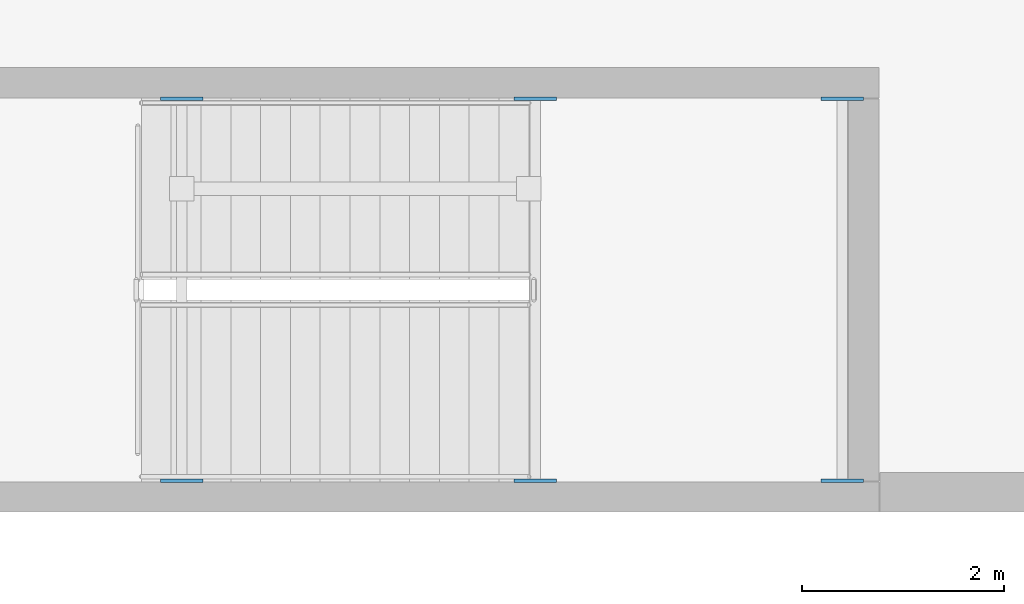
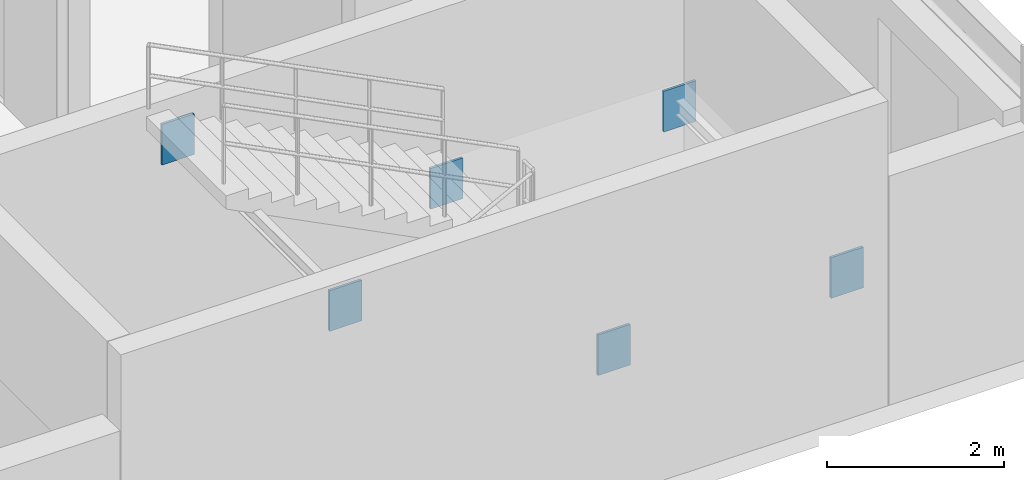
# One storey, part 74 of 122: 6 plates.
"""IFC4 building model written with IfcOpenShell, lengths in metres."""

from ifc_helpers import new_model, si_unit, direction, frame, origin, origin_2d, place, context, subcontext, project, spatial, rectangle, extrude, material, layer, layer_set, type_object, element, save


model = new_model("IFC4")

# Units and contexts
model_context = context("Model", 3, precision=1e-05, world=origin(), true_north=direction((0.0, 1.0)))
body_context = subcontext(model_context, "Body", "Model", "MODEL_VIEW")
ifc_project = project(units=[si_unit("LENGTHUNIT", "METRE"), si_unit("AREAUNIT", "SQUARE_METRE"), si_unit("VOLUMEUNIT", "CUBIC_METRE"), si_unit("PLANEANGLEUNIT", "RADIAN"), si_unit("MASSUNIT", "GRAM", prefix="KILO")], contexts=[model_context])

# Site, building, storey
site_placement = place(None, origin())
site = spatial("IfcSite", under=ifc_project, at=site_placement, CompositionType="ELEMENT")
building_placement = place(site_placement, origin())
building = spatial("IfcBuilding", under=site, at=building_placement, Name="Sundkrona Museum", CompositionType="ELEMENT")
storey_placement = place(building_placement, frame((0.0, 0.0, 5.39990234375)))
storey = spatial("IfcBuildingStorey", under=building, at=storey_placement, Name="L01", CompositionType="ELEMENT", Elevation=5.39990234375)

# Plates
ifc_material = material(Name="Steel S355J2", Category="steel")
ifc_layer = layer(ifc_material, 0.034912109375)
ifc_layer_set = layer_set([ifc_layer], Name="Steel S355J2")
plate_type = type_object("IfcPlateType", Name="EP-1", PredefinedType="USERDEFINED", material=ifc_layer_set)
for number, where, z_axis, x_axis, name in (
    (1, (34.598388671875, 32.31005859375, 1.5), (0.0, 0.0, 1.0), (1.0, 0.0, 0.0), "Core Wall Cast-In Embed Plate BM-STLD-ST-4-L01-1A-1"),
    (2, (34.598388671875, 36.090087890625, 1.5), (0.0, 0.0, 1.0), (1.0, 0.0, 0.0), "Core Wall Cast-In Embed Plate BM-STLD-ST-4-L01-1A-2"),
    (3, (37.63671875, 32.31005859375, 1.5), (0.0, 0.0, 1.0), (1.0, 0.0, 0.0), "Core Wall Cast-In Embed Plate BM-STLD-ST-4-L01-1B-1"),
    (4, (37.63671875, 36.090087890625, 1.5), (0.0, 0.0, 1.0), (1.0, 0.0, 0.0), "Core Wall Cast-In Embed Plate BM-STLD-ST-4-L01-1B-2"),
    (5, (31.10009765625, 32.31005859375, 3.33349609375), (0.0, 0.0, 1.0), (1.0, 0.0, 0.0), "Core Wall Cast-In Embed Plate BM-STHD-ST-4-L01-2-1"),
    (6, (31.10009765625, 36.090087890625, 3.33349609375), (0.0, 0.0, 1.0), (1.0, 0.0, 0.0), "Core Wall Cast-In Embed Plate BM-STHD-ST-4-L01-2-2"),
):
    element("IfcPlate", number, at=place(storey_placement, frame(where, z_axis=z_axis, x_axis=x_axis)), inside=storey, type_object=plate_type, Name=name, ObjectType="GUSSET PLATE", PredefinedType="USERDEFINED", context=body_context, shape_type="SweptSolid", body=[
        extrude(rectangle(XDim=0.419921875, YDim=0.034912109375, at=origin_2d()), origin(), (0.0, 0.0, 1.0), 0.56005859375),
    ])

save(model, "model.ifc")
